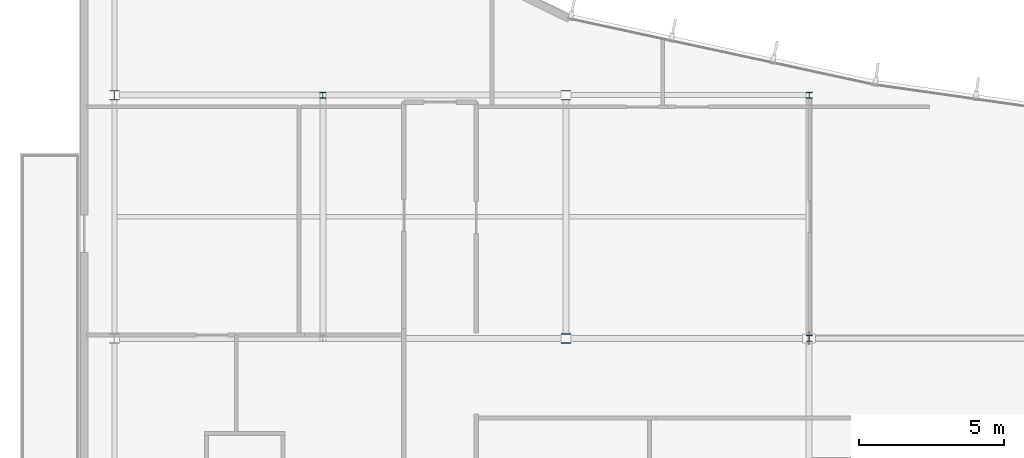
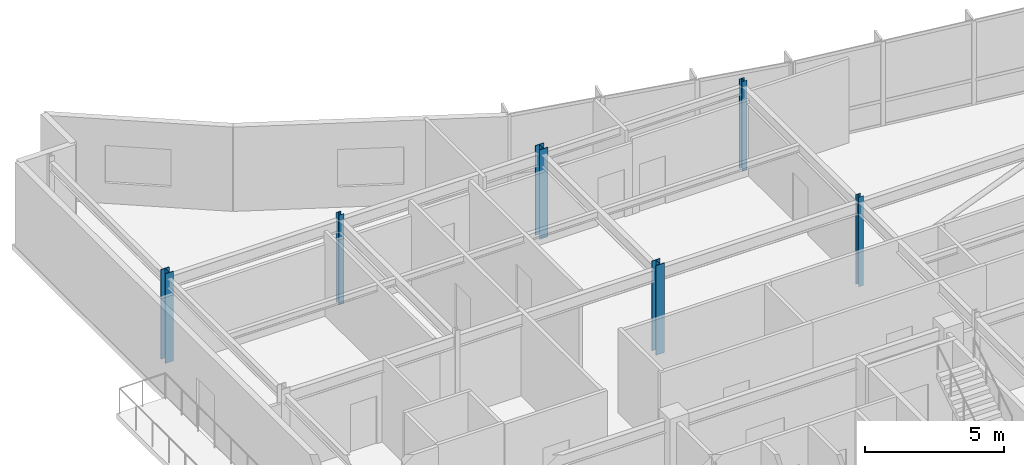
# One storey, part 2 of 16: 6 columns.
"""IFC4 building model written with IfcOpenShell, lengths in metres."""

from ifc_helpers import new_model, si_unit, direction, frame, origin, origin_2d, place, context, subcontext, project, spatial, i_section, extrude, material, material_profile, profile_set, type_object, element, save


model = new_model("IFC4")

# Units and contexts
model_context = context("Model", 3, precision=1e-05, world=origin(), true_north=direction((0.0, 1.0)))
body_context = subcontext(model_context, "Body", "Model", "MODEL_VIEW")
ifc_project = project(units=[si_unit("LENGTHUNIT", "METRE"), si_unit("AREAUNIT", "SQUARE_METRE"), si_unit("VOLUMEUNIT", "CUBIC_METRE"), si_unit("PLANEANGLEUNIT", "RADIAN"), si_unit("MASSUNIT", "GRAM", prefix="KILO")], contexts=[model_context])

# Site, building, storey
site_placement = place(None, origin())
site = spatial("IfcSite", under=ifc_project, at=site_placement, CompositionType="ELEMENT")
building_placement = place(site_placement, origin())
building = spatial("IfcBuilding", under=site, at=building_placement, Name="Varnakote Quay Hospital", CompositionType="ELEMENT")
storey_placement = place(building_placement, frame((0.0, 0.0, 288.14990234375)))
storey = spatial("IfcBuildingStorey", under=building, at=storey_placement, Name="L71", CompositionType="ELEMENT", Elevation=288.14990234375)

# Columns
ifc_material_1 = material(Name="Structural steel AS/NZS 3679.1 Grade 350 L0 (fy 340 MPa)", Category="steel")
ifc_material_profile_1 = material_profile(ifc_material_1, i_section(OverallWidth=0.205078125, OverallDepth=0.2099609375, WebThickness=0.00927734375, FlangeThickness=0.01416015625, FilletRadius=0.011474609375, at=origin_2d()), Name="200UC59.5")
ifc_profile_set_1 = profile_set([ifc_material_profile_1], Name="Structural steel AS/NZS 3679.1 Grade 350 L0 (fy 340 MPa)")
column_type_1 = type_object("IfcColumnType", Name="COL-STL-200UC59-5", PredefinedType="COLUMN", material=ifc_profile_set_1)
for number, where, z_axis, x_axis, name in (
    (1, (25.199951171875, 20.39990234375, 0.0), (0.0, 0.0, 1.0), (1.0, 0.0, 0.0), "L71 Structural Column C-25-20"),
    (2, (8.39990234375, 28.800048828125, 0.0), (0.0, 0.0, 1.0), (1.0, 0.0, 0.0), "L71 Structural Column C-8-29"),
    (3, (25.199951171875, 28.800048828125, 0.0), (0.0, 0.0, 1.0), (1.0, 0.0, 0.0), "L71 Structural Column C-25-29"),
):
    element("IfcColumn", number, at=place(storey_placement, frame(where, z_axis=z_axis, x_axis=x_axis)), inside=storey, type_object=column_type_1, Name=name, PredefinedType="COLUMN", context=body_context, shape_type="SweptSolid", body=[
        extrude(i_section(OverallWidth=0.205078125, OverallDepth=0.2099609375, WebThickness=0.00927734375, FlangeThickness=0.01416015625, FilletRadius=0.011474609375, at=origin_2d()), origin(), (0.0, 0.0, 1.0), 3.9501953125),
    ])
ifc_material_2 = material(Name="Structural steel AS/NZS 3678 Grade 350 (fy 340 MPa)", Category="steel")
ifc_material_profile_2 = material_profile(ifc_material_2, i_section(OverallWidth=0.35009765625, OverallDepth=0.340087890625, WebThickness=0.01611328125, FlangeThickness=0.028076171875, at=origin_2d()), Name="350WC197")
ifc_profile_set_2 = profile_set([ifc_material_profile_2], Name="Structural steel AS/NZS 3678 Grade 350 (fy 340 MPa)")
column_type_2 = type_object("IfcColumnType", Name="COL-STL-350WC197", PredefinedType="COLUMN", material=ifc_profile_set_2)
for number, where, z_axis, x_axis, name in (
    (4, (16.800048828125, 20.39990234375, 0.0), (0.0, 0.0, 1.0), (1.0, 0.0, 0.0), "L71 Structural Column C-17-20"),
    (5, (1.199951171875, 28.800048828125, 0.0), (0.0, 0.0, 1.0), (1.0, 0.0, 0.0), "L71 Structural Column C-1-29"),
    (6, (16.800048828125, 28.800048828125, 0.0), (0.0, 0.0, 1.0), (1.0, 0.0, 0.0), "L71 Structural Column C-17-29"),
):
    element("IfcColumn", number, at=place(storey_placement, frame(where, z_axis=z_axis, x_axis=x_axis)), inside=storey, type_object=column_type_2, Name=name, PredefinedType="COLUMN", context=body_context, shape_type="SweptSolid", body=[
        extrude(i_section(OverallWidth=0.35009765625, OverallDepth=0.340087890625, WebThickness=0.01611328125, FlangeThickness=0.028076171875, at=origin_2d()), origin(), (0.0, 0.0, 1.0), 3.9501953125),
    ])

save(model, "model.ifc")
